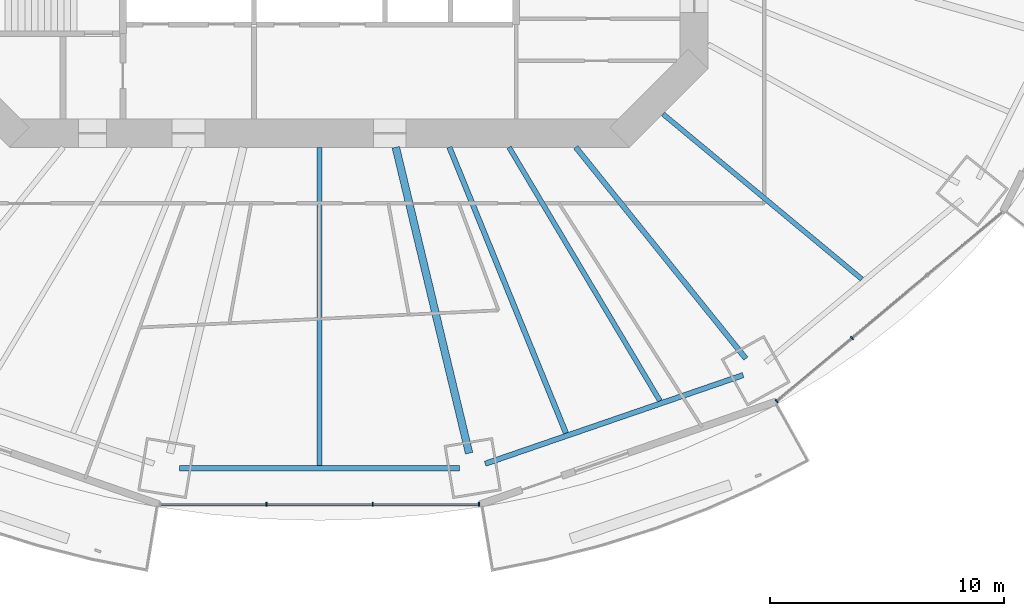
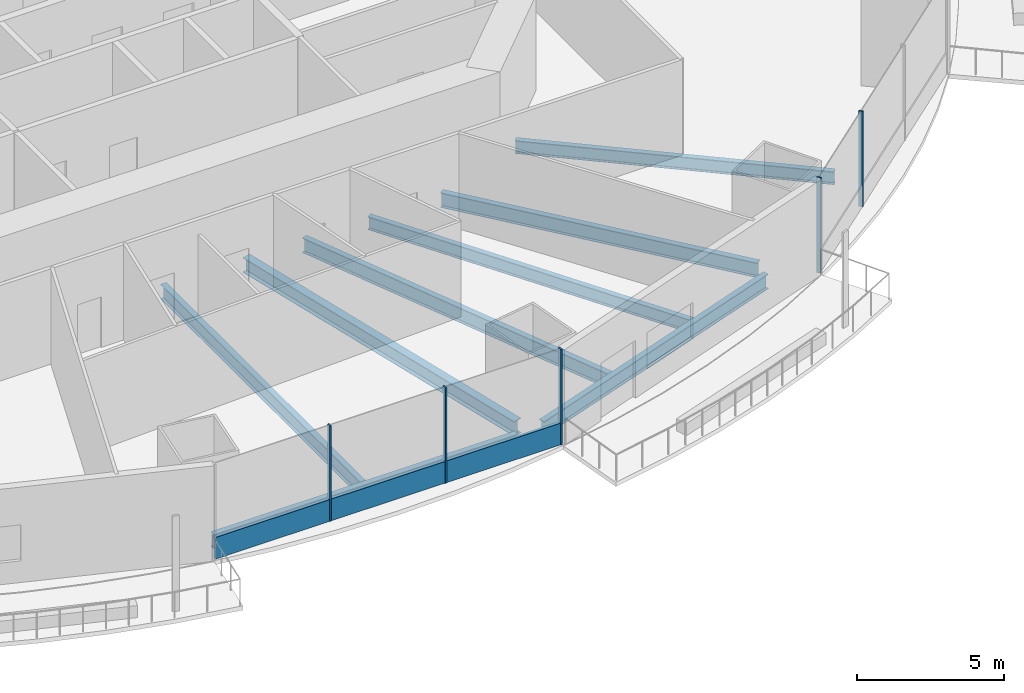
# One storey, part 4 of 22: 8 beams, 6 members, 2 elements without a shape of their own.
"""IFC4 building model written with IfcOpenShell, lengths in metres."""

from ifc_helpers import new_model, si_unit, direction, frame, origin, origin_2d, place, context, subcontext, project, spatial, rectangle, i_section, extrude, material, material_profile, profile_set, type_object, element, aggregate, save


model = new_model("IFC4")

# Units and contexts
model_context = context("Model", 3, precision=1e-05, world=origin(), true_north=direction((0.0, 1.0)))
body_context = subcontext(model_context, "Body", "Model", "MODEL_VIEW")
ifc_project = project(units=[si_unit("LENGTHUNIT", "METRE"), si_unit("AREAUNIT", "SQUARE_METRE"), si_unit("VOLUMEUNIT", "CUBIC_METRE"), si_unit("PLANEANGLEUNIT", "RADIAN"), si_unit("MASSUNIT", "GRAM", prefix="KILO")], contexts=[model_context])

# Site, building, storey
site_placement = place(None, origin())
site = spatial("IfcSite", under=ifc_project, at=site_placement, CompositionType="ELEMENT")
building_placement = place(site_placement, origin())
building = spatial("IfcBuilding", under=site, at=building_placement, Name="Marenthal Gate Tower", CompositionType="ELEMENT")
storey_placement = place(building_placement, frame((0.0, 0.0, 86.949951171875)))
storey = spatial("IfcBuildingStorey", under=building, at=storey_placement, Name="L17", CompositionType="ELEMENT", Elevation=86.949951171875)

# Curtain wall, members
ifc_material_1 = material(Name="Aluminium and glass", Category="aluminium")
curtain_wall_type = type_object("IfcCurtainWallType", Name="Curtain wall typical low", PredefinedType="NOTDEFINED", material=ifc_material_1)
curtain_wall_1_placement = place(storey_placement, origin())
curtain_wall_1 = element("IfcCurtainWall", 1, at=curtain_wall_1_placement, inside=storey, type_object=curtain_wall_type, Name="Curtain wall L17 bay 12", PredefinedType="NOTDEFINED")
ifc_material_2 = material(Name="Aluminium", Category="aluminium")
ifc_material_profile_1 = material_profile(ifc_material_2, rectangle(XDim=0.159912109375, YDim=0.06005859375, at=origin_2d()), Name="60x160 aluminium mullion")
ifc_profile_set_1 = profile_set([ifc_material_profile_1], Name="Aluminium")
member_type_1 = type_object("IfcMemberType", Name="Mullion 60x160 typical low", PredefinedType="MULLION", material=ifc_profile_set_1)
member_1_placement = place(storey_placement, frame((-2.273193359375, -28.852783203125, 0.0), z_axis=(0.0, 0.0, 1.0), x_axis=(0.0, 1.0, 0.0)))
member_1 = element("IfcMember", 2, at=member_1_placement, type_object=member_type_1, Name="Mullion L17 bay 12.2", PredefinedType="MULLION", context=body_context, shape_type="SweptSolid", body=[
    extrude(rectangle(XDim=0.159912109375, YDim=0.06005859375, at=origin_2d()), origin(), (0.0, 0.0, 1.0), 3.969970703125),
])
member_2_placement = place(storey_placement, frame((2.273193359375, -28.852783203125, 0.0), z_axis=(0.0, 0.0, 1.0), x_axis=(0.0, 1.0, 0.0)))
member_2 = element("IfcMember", 3, at=member_2_placement, type_object=member_type_1, Name="Mullion L17 bay 12.3", PredefinedType="MULLION", context=body_context, shape_type="SweptSolid", body=[
    extrude(rectangle(XDim=0.159912109375, YDim=0.06005859375, at=origin_2d()), origin(), (0.0, 0.0, 1.0), 3.969970703125),
])
member_3_placement = place(storey_placement, frame((6.81982421875, -28.852783203125, 0.0), z_axis=(0.0, 0.0, 1.0), x_axis=(0.0, 1.0, 0.0)))
member_3 = element("IfcMember", 4, at=member_3_placement, type_object=member_type_1, Name="Mullion L17 bay 12.4", PredefinedType="MULLION", context=body_context, shape_type="SweptSolid", body=[
    extrude(rectangle(XDim=0.159912109375, YDim=0.06005859375, at=origin_2d()), origin(), (0.0, 0.0, 1.0), 3.969970703125),
])

curtain_wall_2_placement = place(storey_placement, origin())
curtain_wall_2 = element("IfcCurtainWall", 5, at=curtain_wall_2_placement, inside=storey, type_object=curtain_wall_type, Name="Curtain wall L17 bay 14", PredefinedType="NOTDEFINED")
member_4_placement = place(storey_placement, frame((19.529541015625, -24.44091796875, 0.0), z_axis=(0.0, 0.0, 1.0), x_axis=(-0.642228281301, 0.766513427604, 0.0)))
member_4 = element("IfcMember", 6, at=member_4_placement, type_object=member_type_1, Name="Mullion L17 bay 14.1", PredefinedType="MULLION", context=body_context, shape_type="SweptSolid", body=[
    extrude(rectangle(XDim=0.159912109375, YDim=0.06005859375, at=origin_2d()), origin(), (0.0, 0.0, 1.0), 3.969970703125),
])
member_5_placement = place(storey_placement, frame((22.7431640625, -21.748291015625, 0.0), z_axis=(0.0, 0.0, 1.0), x_axis=(-0.642228281301, 0.766513427604, 0.0)))
member_5 = element("IfcMember", 7, at=member_5_placement, type_object=member_type_1, Name="Mullion L17 bay 14.2", PredefinedType="MULLION", context=body_context, shape_type="SweptSolid", body=[
    extrude(rectangle(XDim=0.159912109375, YDim=0.06005859375, at=origin_2d()), origin(), (0.0, 0.0, 1.0), 3.969970703125),
])
aggregate(curtain_wall_2, [member_4, member_5])

# Member
ifc_material_3 = material(Name="Aluminium", Category="aluminium")
ifc_material_profile_2 = material_profile(ifc_material_3, rectangle(XDim=0.1201171875, YDim=0.89990234375, at=origin_2d()), Name="120x900 aluminium transom")
ifc_profile_set_2 = profile_set([ifc_material_profile_2], Name="Aluminium")
member_type_2 = type_object("IfcMemberType", Name="Transom 120x900 typical low", PredefinedType="USERDEFINED", material=ifc_profile_set_2)
member_6_placement = place(storey_placement, frame((-6.789794921875, -28.852783203125, 0.449951171875), z_axis=(1.0, 0.0, 0.0), x_axis=(0.0, 1.0, 0.0)))
member_6 = element("IfcMember", 8, at=member_6_placement, type_object=member_type_2, Name="Transom L17 bay 12", ObjectType="TRANSOM", PredefinedType="USERDEFINED", context=body_context, shape_type="SweptSolid", body=[
    extrude(rectangle(XDim=0.1201171875, YDim=0.89990234375, at=origin_2d()), origin(), (0.0, 0.0, 1.0), 13.57958984375),
])

aggregate(curtain_wall_1, [member_1, member_2, member_3, member_6])

# Beams
ifc_material_4 = material(Name="Steel S355", Category="steel")
ifc_material_profile_3 = material_profile(ifc_material_4, i_section(OverallWidth=0.2099609375, OverallDepth=0.535888671875, WebThickness=0.010986328125, FlangeThickness=0.017333984375, FilletRadius=0.0126953125, at=origin_2d()), Name="W530X101")
ifc_profile_set_3 = profile_set([ifc_material_profile_3], Name="Steel S355")
beam_type_1 = type_object("IfcBeamType", Name="W530X101 beam", PredefinedType="BEAM", material=ifc_profile_set_3)
beam_1_placement = place(storey_placement, frame((23.164794921875, -19.23193359375, -0.447998046875), z_axis=(-0.769390815443, 0.638778344273, 0.0), x_axis=(-0.638778344273, -0.769390815443, 0.0)))
element("IfcBeam", 9, at=beam_1_placement, inside=storey, type_object=beam_type_1, Name="BM-L17-37", PredefinedType="BEAM", context=body_context, shape_type="SweptSolid", body=[
    extrude(i_section(OverallWidth=0.2099609375, OverallDepth=0.535888671875, WebThickness=0.010986328125, FlangeThickness=0.017333984375, FilletRadius=0.0126953125, at=origin_2d()), origin(), (0.0, 0.0, 1.0), 11.041259765625),
])
ifc_material_5 = material(Name="Steel S355", Category="steel")
ifc_material_profile_4 = material_profile(ifc_material_5, i_section(OverallWidth=0.2119140625, OverallDepth=0.5439453125, WebThickness=0.01318359375, FlangeThickness=0.021240234375, FilletRadius=0.0126953125, at=origin_2d()), Name="W530X123")
ifc_profile_set_4 = profile_set([ifc_material_profile_4], Name="Steel S355")
beam_type_2 = type_object("IfcBeamType", Name="W530X123 beam", PredefinedType="BEAM", material=ifc_profile_set_4)
beam_2_placement = place(storey_placement, frame((14.539794921875, -24.431396484375, -0.451904296875), z_axis=(-0.511416092882, 0.859333218223, 0.0), x_axis=(-0.859333218223, -0.511416092882, 0.0)))
element("IfcBeam", 10, at=beam_2_placement, inside=storey, type_object=beam_type_2, Name="BM-L17-36", PredefinedType="BEAM", context=body_context, shape_type="SweptSolid", body=[
    extrude(i_section(OverallWidth=0.2119140625, OverallDepth=0.5439453125, WebThickness=0.01318359375, FlangeThickness=0.021240234375, FilletRadius=0.0126953125, at=origin_2d()), origin(), (0.0, 0.0, 1.0), 12.604248046875),
])
ifc_material_6 = material(Name="Steel S355", Category="steel")
ifc_material_profile_5 = material_profile(ifc_material_6, i_section(OverallWidth=0.22900390625, OverallDepth=0.612060546875, WebThickness=0.011962890625, FlangeThickness=0.01953125, FilletRadius=0.0126953125, at=origin_2d()), Name="W610X125")
ifc_profile_set_5 = profile_set([ifc_material_profile_5], Name="Steel S355")
beam_type_3 = type_object("IfcBeamType", Name="W610X125 beam", PredefinedType="BEAM", material=ifc_profile_set_5)
beam_3_placement = place(storey_placement, frame((18.210693359375, -22.626708984375, -0.48583984375), z_axis=(-0.626999737325, 0.779019466634, 0.0), x_axis=(-0.779019466634, -0.626999737325, 0.0)))
element("IfcBeam", 11, at=beam_3_placement, inside=storey, type_object=beam_type_3, Name="BM-L17-14", PredefinedType="BEAM", context=body_context, shape_type="SweptSolid", body=[
    extrude(i_section(OverallWidth=0.22900390625, OverallDepth=0.612060546875, WebThickness=0.011962890625, FlangeThickness=0.01953125, FilletRadius=0.0126953125, at=origin_2d()), origin(), (0.0, 0.0, 1.0), 11.587158203125),
])
beam_4_placement = place(storey_placement, frame((0.0, -27.188720703125, -0.48583984375), z_axis=(0.0, 1.0, 0.0), x_axis=(-1.0, 0.0, 0.0)))
element("IfcBeam", 12, at=beam_4_placement, inside=storey, type_object=beam_type_3, Name="BM-L17-34", PredefinedType="BEAM", context=body_context, shape_type="SweptSolid", body=[
    extrude(i_section(OverallWidth=0.22900390625, OverallDepth=0.612060546875, WebThickness=0.011962890625, FlangeThickness=0.01953125, FilletRadius=0.0126953125, at=origin_2d()), origin(), (0.0, 0.0, 1.0), 13.588623046875),
])
beam_5_placement = place(storey_placement, frame((10.52734375, -25.811279296875, -0.48583984375), z_axis=(-0.377657332002, 0.925945430134, 0.0), x_axis=(-0.925945430134, -0.377657332002, 0.0)))
element("IfcBeam", 13, at=beam_5_placement, inside=storey, type_object=beam_type_3, Name="BM-L17-35", PredefinedType="BEAM", context=body_context, shape_type="SweptSolid", body=[
    extrude(i_section(OverallWidth=0.22900390625, OverallDepth=0.612060546875, WebThickness=0.011962890625, FlangeThickness=0.01953125, FilletRadius=0.0126953125, at=origin_2d()), origin(), (0.0, 0.0, 1.0), 13.187744140625),
])
beam_6_placement = place(storey_placement, frame((-5.977294921875, -27.302978515625, -0.48583984375), z_axis=(1.0, 0.0, 0.0), x_axis=(0.0, 1.0, 0.0)))
element("IfcBeam", 14, at=beam_6_placement, inside=storey, type_object=beam_type_3, Name="BM-L17-52", PredefinedType="BEAM", context=body_context, shape_type="SweptSolid", body=[
    extrude(i_section(OverallWidth=0.22900390625, OverallDepth=0.612060546875, WebThickness=0.011962890625, FlangeThickness=0.01953125, FilletRadius=0.0126953125, at=origin_2d()), origin(), (0.0, 0.0, 1.0), 11.95458984375),
])
beam_7_placement = place(storey_placement, frame((7.07568359375, -27.119384765625, -0.48583984375), z_axis=(0.945652773526, 0.32517815413, 0.0), x_axis=(-0.32517815413, 0.945652773526, 0.0)))
element("IfcBeam", 15, at=beam_7_placement, inside=storey, type_object=beam_type_3, Name="BM-L17-53", PredefinedType="BEAM", context=body_context, shape_type="SweptSolid", body=[
    extrude(i_section(OverallWidth=0.22900390625, OverallDepth=0.612060546875, WebThickness=0.011962890625, FlangeThickness=0.01953125, FilletRadius=0.0126953125, at=origin_2d()), origin(), (0.0, 0.0, 1.0), 11.65087890625),
])
ifc_material_7 = material(Name="Steel S355", Category="steel")
ifc_material_profile_6 = material_profile(ifc_material_7, i_section(OverallWidth=0.324951171875, OverallDepth=0.612060546875, WebThickness=0.0126953125, FlangeThickness=0.01904296875, FilletRadius=0.0126953125, at=origin_2d()), Name="W610X155")
ifc_profile_set_6 = profile_set([ifc_material_profile_6], Name="Steel S355")
beam_type_4 = type_object("IfcBeamType", Name="W610X155 beam", PredefinedType="BEAM", material=ifc_profile_set_6)
beam_8_placement = place(storey_placement, frame((6.389404296875, -26.668212890625, -0.48583984375), z_axis=(-0.233003942161, 0.972475790412, 0.0), x_axis=(-0.972475790412, -0.233003942161, 0.0)))
element("IfcBeam", 16, at=beam_8_placement, inside=storey, type_object=beam_type_4, Name="BM-L17-13", PredefinedType="BEAM", context=body_context, shape_type="SweptSolid", body=[
    extrude(i_section(OverallWidth=0.324951171875, OverallDepth=0.612060546875, WebThickness=0.0126953125, FlangeThickness=0.01904296875, FilletRadius=0.0126953125, at=origin_2d()), origin(), (0.0, 0.0, 1.0), 13.43798828125),
])

save(model, "model.ifc")
